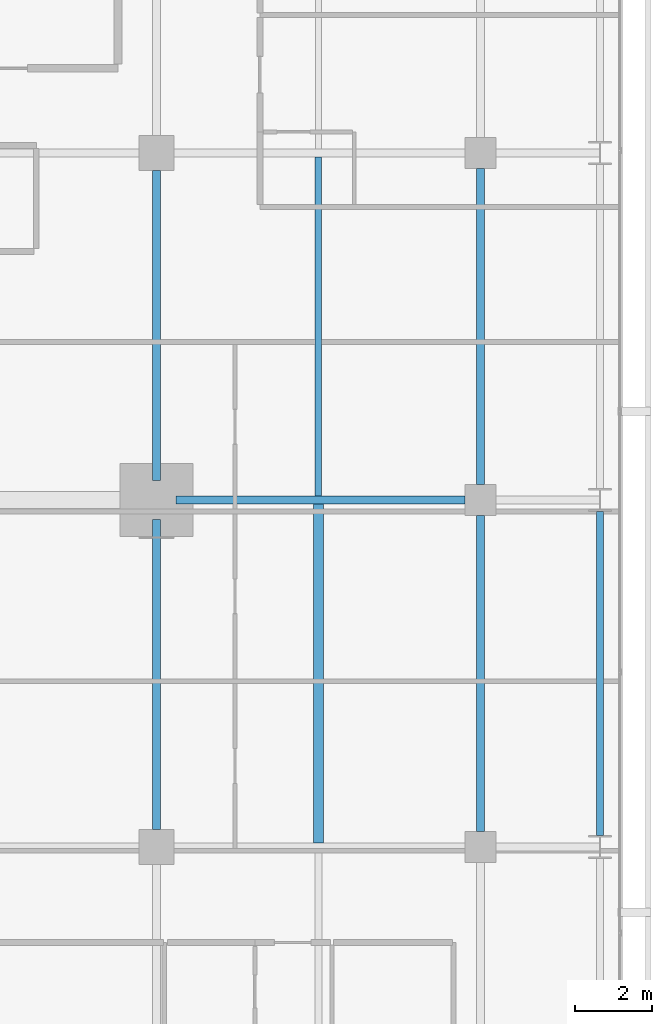
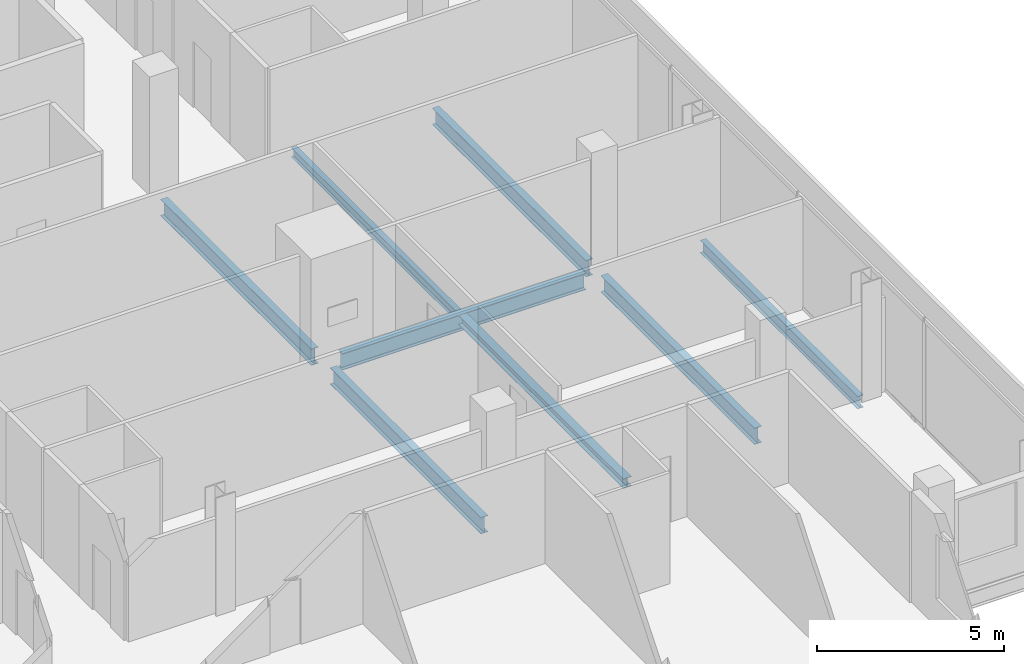
# One storey, part 16 of 34: 8 beams.
"""IFC4 building model written with IfcOpenShell, lengths in metres."""

from ifc_helpers import new_model, si_unit, direction, frame, origin, origin_2d, place, context, subcontext, project, spatial, i_section, extrude, material, material_profile, profile_set, type_object, element, save


model = new_model("IFC4")

# Units and contexts
model_context = context("Model", 3, precision=1e-05, world=origin(), true_north=direction((0.0, 1.0)))
body_context = subcontext(model_context, "Body", "Model", "MODEL_VIEW")
ifc_project = project(units=[si_unit("LENGTHUNIT", "METRE"), si_unit("AREAUNIT", "SQUARE_METRE"), si_unit("VOLUMEUNIT", "CUBIC_METRE"), si_unit("PLANEANGLEUNIT", "RADIAN"), si_unit("MASSUNIT", "GRAM", prefix="KILO")], contexts=[model_context])

# Site, building, storey
site_placement = place(None, origin())
site = spatial("IfcSite", under=ifc_project, at=site_placement, CompositionType="ELEMENT")
building_placement = place(site_placement, origin())
building = spatial("IfcBuilding", under=site, at=building_placement, Name="Maruvema Waterfront Hotel and Observation Tower", CompositionType="ELEMENT")
storey_placement = place(building_placement, frame((0.0, 0.0, 208.25)))
storey = spatial("IfcBuildingStorey", under=building, at=storey_placement, Name="L51", CompositionType="ELEMENT", Elevation=208.25)

# Beams
ifc_material_1 = material(Name="Steel ASTM A572 Grade 50", Category="steel")
ifc_material_profile_1 = material_profile(ifc_material_1, i_section(OverallWidth=0.178955078125, OverallDepth=0.409912109375, WebThickness=0.0087890625, FlangeThickness=0.014404296875, FilletRadius=0.014892578125, at=origin_2d()), Name="W410x67.0")
ifc_profile_set_1 = profile_set([ifc_material_profile_1], Name="Steel ASTM A572 Grade 50")
beam_type_1 = type_object("IfcBeamType", Name="Perimeter Spandrel Beam W410x67.0", PredefinedType="SPANDREL", material=ifc_profile_set_1)
beam_1_placement = place(storey_placement, frame((61.89990234375, 18.300048828125, -0.445068359375), z_axis=(0.0, 1.0, 0.0), x_axis=(-1.0, 0.0, 0.0)))
element("IfcBeam", 1, at=beam_1_placement, inside=storey, type_object=beam_type_1, Name="L51 Floor Girder NS-30", PredefinedType="SPANDREL", context=body_context, shape_type="SweptSolid", body=[
    extrude(i_section(OverallWidth=0.178955078125, OverallDepth=0.409912109375, WebThickness=0.0087890625, FlangeThickness=0.014404296875, FilletRadius=0.014892578125, at=origin_2d()), origin(), (0.0, 0.0, 1.0), 8.39990234375),
])
ifc_material_2 = material(Name="Steel ASTM A572 Grade 50", Category="steel")
ifc_material_profile_2 = material_profile(ifc_material_2, i_section(OverallWidth=0.2109375, OverallDepth=0.5390625, WebThickness=0.01171875, FlangeThickness=0.018798828125, FilletRadius=0.014892578125, at=origin_2d()), Name="W530x109.0")
ifc_profile_set_2 = profile_set([ifc_material_profile_2], Name="Steel ASTM A572 Grade 50")
beam_type_2 = type_object("IfcBeamType", Name="Primary Floor Girder W530x109.0", PredefinedType="BEAM", material=ifc_profile_set_2)
beam_2_placement = place(storey_placement, frame((50.89990234375, 27.0, -0.509521484375), z_axis=(1.0, 0.0, 0.0), x_axis=(0.0, 1.0, 0.0)))
element("IfcBeam", 2, at=beam_2_placement, inside=storey, type_object=beam_type_2, Name="L51 Floor Girder EW-21", PredefinedType="BEAM", context=body_context, shape_type="SweptSolid", body=[
    extrude(i_section(OverallWidth=0.2109375, OverallDepth=0.5390625, WebThickness=0.01171875, FlangeThickness=0.018798828125, FilletRadius=0.014892578125, at=origin_2d()), origin(), (0.0, 0.0, 1.0), 7.5),
])
for number, where, z_axis, x_axis, name in (
    (3, (50.39990234375, 18.449951171875, -0.509521484375), (0.0, 1.0, 0.0), (-1.0, 0.0, 0.0), "L51 Floor Girder NS-22"),
    (4, (50.39990234375, 27.5, -0.509521484375), (0.0, 1.0, 0.0), (-1.0, 0.0, 0.0), "L51 Floor Girder NS-23"),
):
    element("IfcBeam", number, at=place(storey_placement, frame(where, z_axis=z_axis, x_axis=x_axis)), inside=storey, type_object=beam_type_2, Name=name, PredefinedType="BEAM", context=body_context, shape_type="SweptSolid", body=[
        extrude(i_section(OverallWidth=0.2109375, OverallDepth=0.5390625, WebThickness=0.01171875, FlangeThickness=0.018798828125, FilletRadius=0.014892578125, at=origin_2d()), origin(), (0.0, 0.0, 1.0), 8.050048828125),
    ])
for number, where, z_axis, x_axis, name in (
    (5, (58.800048828125, 18.39990234375, -0.509521484375), (0.0, 1.0, 0.0), (-1.0, 0.0, 0.0), "L51 Floor Girder NS-26"),
    (6, (58.800048828125, 27.39990234375, -0.509521484375), (0.0, 1.0, 0.0), (-1.0, 0.0, 0.0), "L51 Floor Girder NS-27"),
):
    element("IfcBeam", number, at=place(storey_placement, frame(where, z_axis=z_axis, x_axis=x_axis)), inside=storey, type_object=beam_type_2, Name=name, PredefinedType="BEAM", context=body_context, shape_type="SweptSolid", body=[
        extrude(i_section(OverallWidth=0.2109375, OverallDepth=0.5390625, WebThickness=0.01171875, FlangeThickness=0.018798828125, FilletRadius=0.014892578125, at=origin_2d()), origin(), (0.0, 0.0, 1.0), 8.2001953125),
    ])
ifc_material_3 = material(Name="Steel ASTM A572 Grade 50", Category="steel")
ifc_material_profile_3 = material_profile(ifc_material_3, i_section(OverallWidth=0.1669921875, OverallDepth=0.31689453125, WebThickness=0.007568359375, FlangeThickness=0.01318359375, FilletRadius=0.012939453125, at=origin_2d()), Name="W310x52.0")
ifc_profile_set_3 = profile_set([ifc_material_profile_3], Name="Steel ASTM A572 Grade 50")
beam_type_3 = type_object("IfcBeamType", Name="Secondary Floor Joist W310x52.0", PredefinedType="JOIST", material=ifc_profile_set_3)
beam_3_placement = place(storey_placement, frame((54.60009765625, 27.10546875, -0.3984375), z_axis=(0.0, 1.0, 0.0), x_axis=(-1.0, 0.0, 0.0)))
element("IfcBeam", 7, at=beam_3_placement, inside=storey, type_object=beam_type_3, Name="L51 Secondary Floor Joist JS-13", PredefinedType="JOIST", context=body_context, shape_type="SweptSolid", body=[
    extrude(i_section(OverallWidth=0.1669921875, OverallDepth=0.31689453125, WebThickness=0.007568359375, FlangeThickness=0.01318359375, FilletRadius=0.012939453125, at=origin_2d()), origin(), (0.0, 0.0, 1.0), 8.7890625),
])
ifc_material_4 = material(Name="Steel ASTM A572 Grade 50", Category="steel")
ifc_material_profile_4 = material_profile(ifc_material_4, i_section(OverallWidth=0.25390625, OverallDepth=0.305908203125, WebThickness=0.0087890625, FlangeThickness=0.0146484375, FilletRadius=0.014892578125, at=origin_2d()), Name="W310x79.0")
ifc_profile_set_4 = profile_set([ifc_material_profile_4], Name="Steel ASTM A572 Grade 50")
beam_type_4 = type_object("IfcBeamType", Name="Secondary Floor Joist W310x79.0", PredefinedType="JOIST", material=ifc_profile_set_4)
beam_4_placement = place(storey_placement, frame((54.60009765625, 18.10546875, -0.39306640625), z_axis=(0.0, 1.0, 0.0), x_axis=(-1.0, 0.0, 0.0)))
element("IfcBeam", 8, at=beam_4_placement, inside=storey, type_object=beam_type_4, Name="L51 Secondary Floor Joist JS-12", PredefinedType="JOIST", context=body_context, shape_type="SweptSolid", body=[
    extrude(i_section(OverallWidth=0.25390625, OverallDepth=0.305908203125, WebThickness=0.0087890625, FlangeThickness=0.0146484375, FilletRadius=0.014892578125, at=origin_2d()), origin(), (0.0, 0.0, 1.0), 8.7890625),
])

save(model, "model.ifc")
